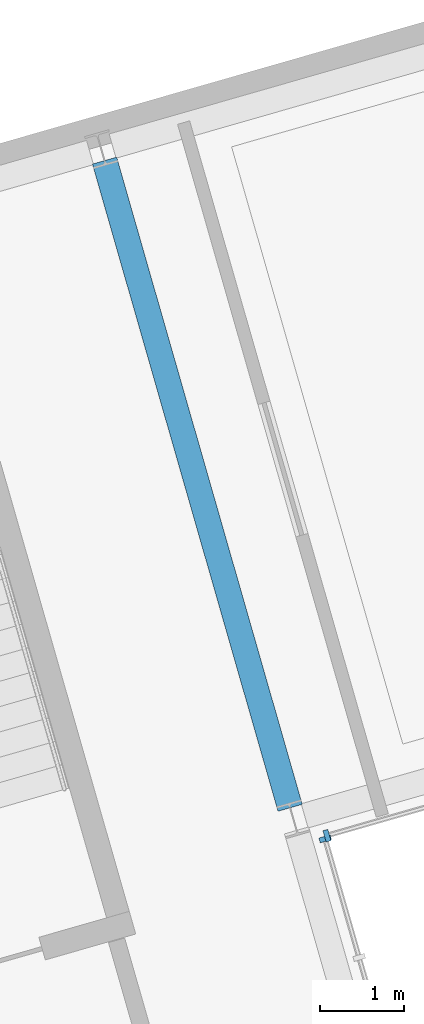
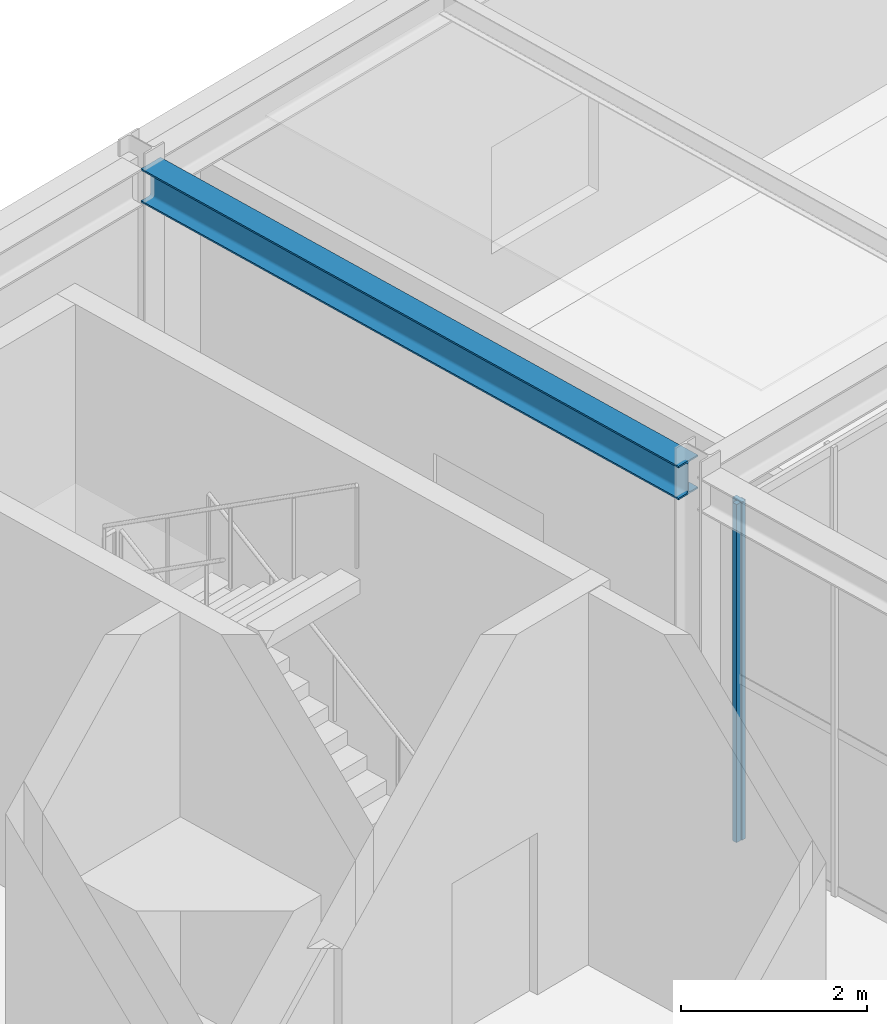
# One storey, part 32 of 97: 2 members, 1 beam, 2 elements without a shape of their own.
"""IFC4 building model written with IfcOpenShell, lengths in metres."""

from ifc_helpers import new_model, si_unit, direction, frame, origin, origin_2d, place, context, subcontext, project, spatial, rectangle, i_section, extrude, material, material_profile, profile_set, type_object, element, aggregate, save


model = new_model("IFC4")

# Units and contexts
model_context = context("Model", 3, precision=1e-05, world=origin(), true_north=direction((0.0, 1.0)))
body_context = subcontext(model_context, "Body", "Model", "MODEL_VIEW")
ifc_project = project(units=[si_unit("LENGTHUNIT", "METRE"), si_unit("AREAUNIT", "SQUARE_METRE"), si_unit("VOLUMEUNIT", "CUBIC_METRE"), si_unit("PLANEANGLEUNIT", "RADIAN"), si_unit("MASSUNIT", "GRAM", prefix="KILO")], contexts=[model_context])

# Site, building, storey
site_placement = place(None, origin())
site = spatial("IfcSite", under=ifc_project, at=site_placement, CompositionType="ELEMENT")
building_placement = place(site_placement, origin())
building = spatial("IfcBuilding", under=site, at=building_placement, Name="Varnklinge Art Gallery", CompositionType="ELEMENT")
storey_placement = place(building_placement, origin())
storey = spatial("IfcBuildingStorey", under=building, at=storey_placement, Name="L00", CompositionType="ELEMENT", Elevation=0.0)

# Beam
ifc_material_1 = material(Name="Steel S355", Category="steel")
ifc_material_profile_1 = material_profile(ifc_material_1, i_section(OverallWidth=0.300048828125, OverallDepth=0.43994140625, WebThickness=0.011474609375, FlangeThickness=0.02099609375, FilletRadius=0.027099609375, at=origin_2d()), Name="HEA 450")
ifc_profile_set_1 = profile_set([ifc_material_profile_1], Name="Steel S355")
beam_type = type_object("IfcBeamType", Name="BM-08", PredefinedType="BEAM", material=ifc_profile_set_1)
beam_placement = place(storey_placement, frame((131.101806640625, 30.374267578125, 4.659912109375), z_axis=(-0.275649759333, 0.961258139201, 0.0), x_axis=(-0.961258139201, -0.275649759333, 0.0)))
element("IfcBeam", 1, at=beam_placement, inside=storey, type_object=beam_type, Name="L00 BM-08 BM-V6-L01-V1-2", PredefinedType="BEAM", context=body_context, shape_type="SweptSolid", body=[
    extrude(i_section(OverallWidth=0.300048828125, OverallDepth=0.43994140625, WebThickness=0.011474609375, FlangeThickness=0.02099609375, FilletRadius=0.027099609375, at=origin_2d()), origin(), (0.0, 0.0, 1.0), 8.02001953125),
])

# Curtain wall, member
ifc_material_2 = material(Name="Anodised Aluminium", Category="aluminium")
curtain_wall_type = type_object("IfcCurtainWallType", Name="CW-C01", PredefinedType="USERDEFINED", material=ifc_material_2)
curtain_wall_1_placement = place(storey_placement, origin())
curtain_wall_1 = element("IfcCurtainWall", 2, at=curtain_wall_1_placement, inside=storey, type_object=curtain_wall_type, Name="L00 Curtain Wall CW-V6C-L00-3", ObjectType="UNITISED CURTAIN WALL", PredefinedType="USERDEFINED")
ifc_material_3 = material(Name="Anodised Aluminium", Category="aluminium")
ifc_material_profile_2 = material_profile(ifc_material_3, rectangle(XDim=0.06005859375, YDim=0.139892578125, at=origin_2d()), Name="ALU 60x140")
ifc_profile_set_2 = profile_set([ifc_material_profile_2], Name="Anodised Aluminium")
member_type = type_object("IfcMemberType", Name="MUL-03", PredefinedType="MULLION", material=ifc_profile_set_2)
member_1_placement = place(storey_placement, frame((131.540283203125, 30.042236328125, 0.0), z_axis=(0.0, 0.0, 1.0), x_axis=(0.961261695938, 0.275637355817, 0.0)))
member_1 = element("IfcMember", 3, at=member_1_placement, type_object=member_type, Name="CW-V6C-L00-3 Mullion 1", PredefinedType="MULLION", context=body_context, shape_type="SweptSolid", body=[
    extrude(rectangle(XDim=0.06005859375, YDim=0.139892578125, at=origin_2d()), origin(), (0.0, 0.0, 1.0), 4.429931640625),
])
aggregate(curtain_wall_1, [member_1])

curtain_wall_2_placement = place(storey_placement, origin())
curtain_wall_2 = element("IfcCurtainWall", 4, at=curtain_wall_2_placement, inside=storey, type_object=curtain_wall_type, Name="L00 Curtain Wall CW-V6C-L00-4", ObjectType="UNITISED CURTAIN WALL", PredefinedType="USERDEFINED")
member_2_placement = place(storey_placement, frame((131.519775390625, 30.005126953125, 0.0), z_axis=(0.0, 0.0, 1.0), x_axis=(-0.275637355817, 0.961261695938, 0.0)))
member_2 = element("IfcMember", 5, at=member_2_placement, type_object=member_type, Name="CW-V6C-L00-4 Mullion 7", PredefinedType="MULLION", context=body_context, shape_type="SweptSolid", body=[
    extrude(rectangle(XDim=0.06005859375, YDim=0.139892578125, at=origin_2d()), origin(), (0.0, 0.0, 1.0), 4.429931640625),
])
aggregate(curtain_wall_2, [member_2])

save(model, "model.ifc")
